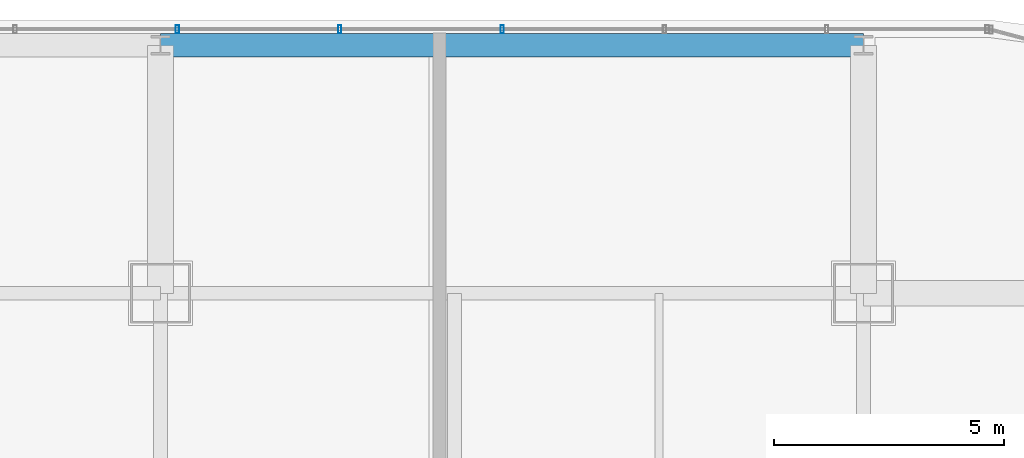
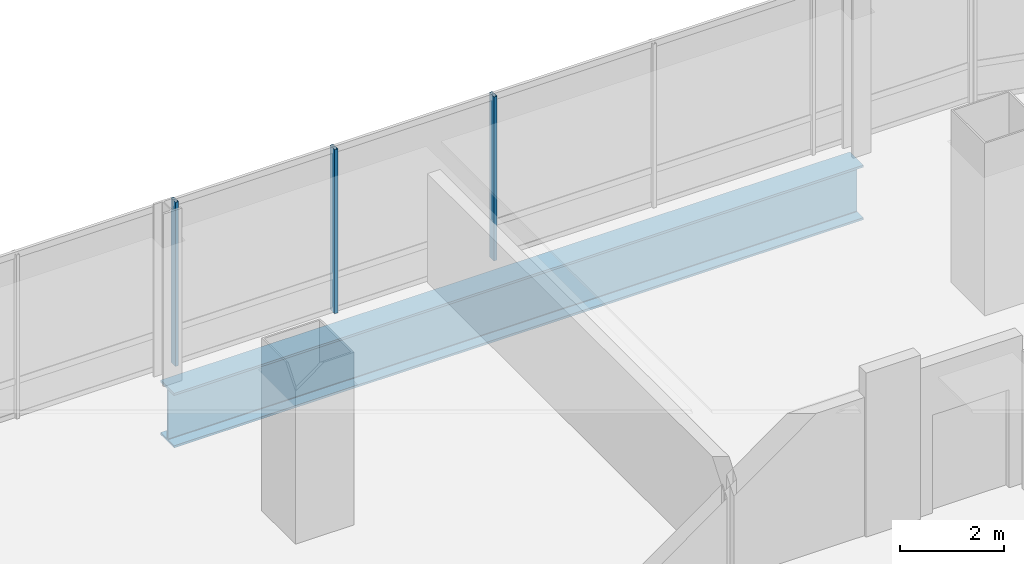
# One storey, part 29 of 40: 3 members, 1 beam, 1 element without a shape of its own.
"""IFC4 building model written with IfcOpenShell, lengths in metres."""

import ifcopenshell
import ifcopenshell.guid

model = None  # the IFC model being written
_history = None  # IfcOwnerHistory: only IFC2X3 demands one
_inside = {}  # id of a spatial element -> (the spatial element, [elements in it])
_under = {}  # id of a project, library or spatial element -> (it, [spatial elements below it])
_declared = {}  # id of a project -> (the project, [libraries it declares])
_typed = {}  # id of a type object -> (the type object, [elements of that type])
_made_of = {}  # id of a material, layer set ... -> (it, [elements and type objects made of it])


def new_model(schema):
    """Start an empty IFC model of exactly this schema.

    Asked for "IFC4X3", IfcOpenShell would pick the latest addendum, in which some entities
    have other attributes; the version numbers below select the first issue.
    IFC2X3 requires an IfcOwnerHistory on every rooted entity: one is made here for all.
    """
    global model, _history
    if schema == "IFC4X3":
        model = ifcopenshell.file(schema_version=(4, 3, 0, 0))
    else:
        model = ifcopenshell.file(schema=schema)
    _inside.clear()
    _under.clear()
    _declared.clear()
    _typed.clear()
    _made_of.clear()
    _history = None
    if model.schema == "IFC2X3":
        org = make("IfcOrganization", Name="unknown")
        user = make(
            "IfcPersonAndOrganization",
            ThePerson=make("IfcPerson", FamilyName="unknown"),
            TheOrganization=org,
        )
        app = make(
            "IfcApplication",
            ApplicationDeveloper=org,
            Version="unknown",
            ApplicationFullName="unknown",
            ApplicationIdentifier="unknown",
        )
        _history = make(
            "IfcOwnerHistory",
            OwningUser=user,
            OwningApplication=app,
            ChangeAction="ADDED",
            CreationDate=0,
        )
    return model


def make(cls, **values):
    """One entity of the class cls with the attributes given. An attribute that is None is left unset."""
    return model.create_entity(
        cls, **{name: value for name, value in values.items() if value is not None}
    )


def rooted(cls, **values):
    """An entity with a GlobalId (a new one), such as an element, a storey or a relation."""
    return make(cls, GlobalId=ifcopenshell.guid.new(), OwnerHistory=_history, **values)


def si_unit(unit_type, name, prefix=None):
    """IfcSIUnit, for example si_unit("LENGTHUNIT", "METRE", prefix="MILLI")."""
    return make("IfcSIUnit", UnitType=unit_type, Prefix=prefix, Name=name)


def assignment(units):
    """IfcUnitAssignment: the units of a project."""
    return None if units is None else make("IfcUnitAssignment", Units=units)


def point(xyz):
    """IfcCartesianPoint."""
    return None if xyz is None else make("IfcCartesianPoint", Coordinates=xyz)


def direction(xyz):
    """IfcDirection."""
    return None if xyz is None else make("IfcDirection", DirectionRatios=xyz)


def frame(location, z_axis=None, x_axis=None):
    """IfcAxis2Placement3D, a coordinate frame: its origin and axes. An axis left out is left unset."""
    return make(
        "IfcAxis2Placement3D",
        Location=point(location),
        Axis=direction(z_axis),
        RefDirection=direction(x_axis),
    )


def frame_2d(location, x_axis=None):
    """IfcAxis2Placement2D, a coordinate frame in the plane: its origin and x axis."""
    return make(
        "IfcAxis2Placement2D", Location=point(location), RefDirection=direction(x_axis)
    )


def origin():
    """The frame at (0, 0, 0) with its axes left unset."""
    return frame((0.0, 0.0, 0.0))


def origin_2d():
    """The frame at (0, 0) in the plane with its x axis left unset."""
    return frame_2d((0.0, 0.0))


def place(relative_to, where):
    """IfcLocalPlacement: puts the frame where relative to a parent placement (None: the world)."""
    return make(
        "IfcLocalPlacement", PlacementRelTo=relative_to, RelativePlacement=where
    )


def context(
    kind, dimensions, precision=None, world=None, true_north=None, identifier=None
):
    """IfcGeometricRepresentationContext, for example the 3D "Model" context."""
    return make(
        "IfcGeometricRepresentationContext",
        ContextIdentifier=identifier,
        ContextType=kind,
        CoordinateSpaceDimension=dimensions,
        Precision=precision,
        WorldCoordinateSystem=world,
        TrueNorth=true_north,
    )


def subcontext(parent, identifier, kind, view, scale=None):
    """IfcGeometricRepresentationSubContext, for example "Body" below "Model"."""
    return make(
        "IfcGeometricRepresentationSubContext",
        ContextIdentifier=identifier,
        ContextType=kind,
        ParentContext=parent,
        TargetScale=scale,
        TargetView=view,
    )


def project(units=None, contexts=None):
    """IfcProject with its units and contexts."""
    return rooted(
        "IfcProject",
        Name="project",
        RepresentationContexts=contexts,
        UnitsInContext=assignment(units),
    )


def spatial(cls, under=None, at=None, **own):
    """A site, building, storey or space (cls), placed at a placement, below another one or the project."""
    s = rooted(cls, ObjectPlacement=at, **own)
    if under is not None:
        _under.setdefault(under.id(), (under, []))[1].append(s)
    return s


def profile(cls, at=None, kind="AREA", **sizes):
    """A parametric profile (cls). Its sizes go by their IFC names, for example OverallWidth=200.0."""
    return make(cls, ProfileType=kind, Position=at, **sizes)


def hollow_rectangle(**sizes):
    """IfcRectangleHollowProfileDef."""
    return profile("IfcRectangleHollowProfileDef", **sizes)


def i_section(**sizes):
    """IfcIShapeProfileDef."""
    return profile("IfcIShapeProfileDef", **sizes)


def extrude(swept, where, along, depth):
    """IfcExtrudedAreaSolid: the profile swept, set in the frame where, extruded along a direction by depth."""
    return make(
        "IfcExtrudedAreaSolid",
        SweptArea=swept,
        Position=where,
        ExtrudedDirection=direction(along),
        Depth=depth,
    )


def shape(context_of_items, identifier, shape_type, items):
    """IfcShapeRepresentation: the items that make up one representation, for example the "Body"."""
    return make(
        "IfcShapeRepresentation",
        ContextOfItems=context_of_items,
        RepresentationIdentifier=identifier,
        RepresentationType=shape_type,
        Items=items,
    )


def material(Name=None, Category=None):
    """IfcMaterial."""
    return make("IfcMaterial", Name=Name, Category=Category)


def material_profile(
    of_material, cross_section, Name=None, Category=None, Priority=None
):
    """IfcMaterialProfile: a cross section and its material."""
    return make(
        "IfcMaterialProfile",
        Name=Name,
        Material=of_material,
        Profile=cross_section,
        Priority=Priority,
        Category=Category,
    )


def profile_set(profiles, Name=None, composite=None):
    """IfcMaterialProfileSet."""
    return make(
        "IfcMaterialProfileSet",
        Name=Name,
        MaterialProfiles=profiles,
        CompositeProfile=composite,
    )


def made_of(thing, what):
    """Note that an element or type object is made of a material, layer set ...; save() writes the relation."""
    if what is not None:
        _made_of.setdefault(what.id(), (what, []))[1].append(thing)
    return thing


def type_object(cls, material=None, **own):
    """A type object (cls), such as IfcWallType, which elements share."""
    return made_of(rooted(cls, **own), material)


def element(
    cls,
    number,
    at=None,
    inside=None,
    cuts=None,
    type_object=None,
    material=None,
    context=None,
    identifier="Body",
    shape_type=None,
    held_by="IfcProductDefinitionShape",
    body=None,
    shapes=None,
    **own,
):
    """One element of the class cls, such as IfcWall. Its Tag is "e" and its number.

    at: its placement. inside: the storey or other place that contains it. cuts: it is an
    opening in that element (IfcRelVoidsElement). A single representation is given by context,
    identifier, shape_type and body (its items); several are given by shapes. held_by: the class
    of the entity that holds the representations. save() writes the other relations.
    """
    e = rooted(cls, Tag="e%d" % number, ObjectPlacement=at, **own)
    if body is not None:
        shapes = [shape(context, identifier, shape_type, body)]
    if shapes is not None:
        e.Representation = make(held_by, Representations=shapes)
    if inside is not None:
        _inside.setdefault(inside.id(), (inside, []))[1].append(e)
    if cuts is not None:
        rooted(
            "IfcRelVoidsElement", RelatingBuildingElement=cuts, RelatedOpeningElement=e
        )
    if type_object is not None:
        _typed.setdefault(type_object.id(), (type_object, []))[1].append(e)
    return made_of(e, material)


def aggregate(whole, parts):
    """IfcRelAggregates: a whole, such as a stair, and the parts it consists of."""
    return rooted("IfcRelAggregates", RelatingObject=whole, RelatedObjects=parts)


def save(model, path):
    """Write the relations noted so far, then the file.

    IfcRelAggregates (storeys below a building ...), IfcRelContainedInSpatialStructure (elements
    in a storey), IfcRelDefinesByType, IfcRelAssociatesMaterial and IfcRelDeclares: one each for
    every whole, place, type object, material and project.
    """
    for whole, parts in _under.values():
        aggregate(whole, parts)
    for where, things in _inside.values():
        rooted(
            "IfcRelContainedInSpatialStructure",
            RelatedElements=things,
            RelatingStructure=where,
        )
    for kind, things in _typed.values():
        rooted("IfcRelDefinesByType", RelatedObjects=things, RelatingType=kind)
    for what, things in _made_of.values():
        rooted("IfcRelAssociatesMaterial", RelatedObjects=things, RelatingMaterial=what)
    for by, libraries in _declared.values():
        rooted("IfcRelDeclares", RelatingContext=by, RelatedDefinitions=libraries)
    model.write(path)


model = new_model("IFC4")

# Units and contexts
model_context = context("Model", 3, precision=1e-05, world=origin(), true_north=direction((0.0, 1.0)))
body_context = subcontext(model_context, "Body", "Model", "MODEL_VIEW")
ifc_project = project(units=[si_unit("LENGTHUNIT", "METRE"), si_unit("AREAUNIT", "SQUARE_METRE"), si_unit("VOLUMEUNIT", "CUBIC_METRE"), si_unit("PLANEANGLEUNIT", "RADIAN"), si_unit("MASSUNIT", "GRAM", prefix="KILO")], contexts=[model_context])

# Site, building, storey
site_placement = place(None, origin())
site = spatial("IfcSite", under=ifc_project, at=site_placement, CompositionType="ELEMENT")
building_placement = place(site_placement, origin())
building = spatial("IfcBuilding", under=site, at=building_placement, Name="Punatoya Terracotta Tower", CompositionType="ELEMENT")
storey_placement = place(building_placement, frame((0.0, 0.0, 271.64990234375)))
storey = spatial("IfcBuildingStorey", under=building, at=storey_placement, Name="L64", CompositionType="ELEMENT", Elevation=271.64990234375)

# Beam
ifc_material_1 = material(Name="Steel S460", Category="steel")
ifc_material_profile_1 = material_profile(ifc_material_1, i_section(OverallWidth=0.52001953125, OverallDepth=1.280029296875, WebThickness=0.031982421875, FlangeThickness=0.050048828125, FilletRadius=0.01806640625, at=origin_2d()))
ifc_profile_set_1 = profile_set([ifc_material_profile_1], Name="Steel S460")
beam_type = type_object("IfcBeamType", Name="BM-TG-NCK", PredefinedType="BEAM", material=ifc_profile_set_1)
beam_placement = place(storey_placement, frame((3.800048828125, 22.89990234375, -0.83984375), z_axis=(1.0, 0.0, 0.0), x_axis=(0.0, 1.0, 0.0)))
element("IfcBeam", 1, at=beam_placement, inside=storey, type_object=beam_type, Name="BM-L64-PER-N3", PredefinedType="BEAM", context=body_context, shape_type="SweptSolid", body=[
    extrude(i_section(OverallWidth=0.52001953125, OverallDepth=1.280029296875, WebThickness=0.031982421875, FlangeThickness=0.050048828125, FilletRadius=0.01806640625, at=origin_2d()), origin(), (0.0, 0.0, 1.0), 15.300048828125),
])

# Curtain wall, members
ifc_material_2 = material(Name="Aluminium 6063-T6 + Double Low-E Glass", Category="aluminium")
curtain_wall_type = type_object("IfcCurtainWallType", Name="CW-M3", PredefinedType="NOTDEFINED", material=ifc_material_2)
curtain_wall_placement = place(storey_placement, origin())
curtain_wall = element("IfcCurtainWall", 2, at=curtain_wall_placement, inside=storey, type_object=curtain_wall_type, Name="L64 Curtain Wall CW-L64-N09-1", PredefinedType="NOTDEFINED")
ifc_material_3 = material(Name="Aluminium 6063-T6", Category="aluminium")
ifc_material_profile_2 = material_profile(ifc_material_3, hollow_rectangle(XDim=0.070068359375, YDim=0.179931640625, WallThickness=0.00390625, at=origin_2d()))
ifc_profile_set_2 = profile_set([ifc_material_profile_2], Name="Aluminium 6063-T6")
member_type = type_object("IfcMemberType", Name="CW-MUL-M3", PredefinedType="MULLION", material=ifc_profile_set_2)
member_1_placement = place(storey_placement, frame((11.235107421875, 23.25, 0.0), z_axis=(0.0, 0.0, 1.0), x_axis=(1.0, 0.0, 0.0)))
member_1 = element("IfcMember", 3, at=member_1_placement, type_object=member_type, Name="CW-L64-N09-1 Mullion 03", PredefinedType="MULLION", context=body_context, shape_type="SweptSolid", body=[
    extrude(hollow_rectangle(XDim=0.070068359375, YDim=0.179931640625, WallThickness=0.00390625, at=origin_2d()), origin(), (0.0, 0.0, 1.0), 3.85009765625),
])
member_2_placement = place(storey_placement, frame((7.700927734375, 23.25, 0.0), z_axis=(0.0, 0.0, 1.0), x_axis=(1.0, 0.0, 0.0)))
member_2 = element("IfcMember", 4, at=member_2_placement, type_object=member_type, Name="CW-L64-N09-1 Mullion 04", PredefinedType="MULLION", context=body_context, shape_type="SweptSolid", body=[
    extrude(hollow_rectangle(XDim=0.070068359375, YDim=0.179931640625, WallThickness=0.00390625, at=origin_2d()), origin(), (0.0, 0.0, 1.0), 3.85009765625),
])
member_3_placement = place(storey_placement, frame((4.1669921875, 23.25, 0.0), z_axis=(0.0, 0.0, 1.0), x_axis=(1.0, 0.0, 0.0)))
member_3 = element("IfcMember", 5, at=member_3_placement, type_object=member_type, Name="CW-L64-N09-1 Mullion 05", PredefinedType="MULLION", context=body_context, shape_type="SweptSolid", body=[
    extrude(hollow_rectangle(XDim=0.070068359375, YDim=0.179931640625, WallThickness=0.00390625, at=origin_2d()), origin(), (0.0, 0.0, 1.0), 3.85009765625),
])
aggregate(curtain_wall, [member_1, member_2, member_3])

save(model, "model.ifc")
